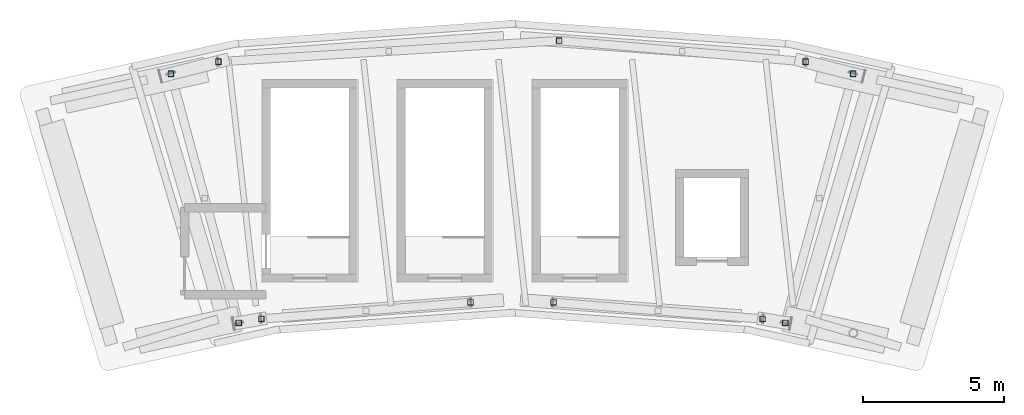
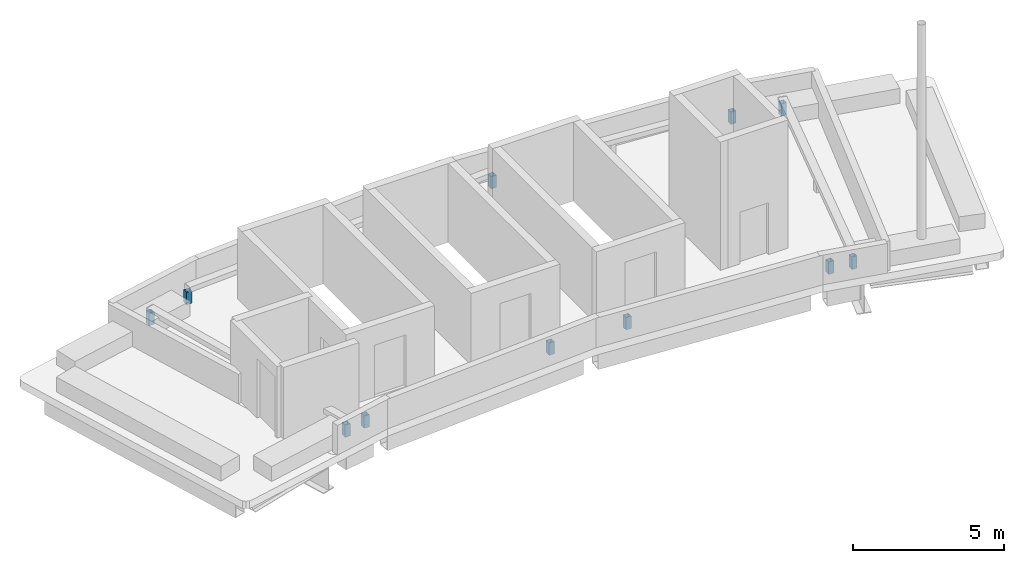
# One storey, part 2 of 6: 11 members.
"""IFC4 building model written with IfcOpenShell, lengths in metres."""

import ifcopenshell
import ifcopenshell.guid

model = None  # the IFC model being written
_history = None  # IfcOwnerHistory: only IFC2X3 demands one
_inside = {}  # id of a spatial element -> (the spatial element, [elements in it])
_under = {}  # id of a project, library or spatial element -> (it, [spatial elements below it])
_declared = {}  # id of a project -> (the project, [libraries it declares])
_typed = {}  # id of a type object -> (the type object, [elements of that type])
_made_of = {}  # id of a material, layer set ... -> (it, [elements and type objects made of it])


def new_model(schema):
    """Start an empty IFC model of exactly this schema.

    Asked for "IFC4X3", IfcOpenShell would pick the latest addendum, in which some entities
    have other attributes; the version numbers below select the first issue.
    IFC2X3 requires an IfcOwnerHistory on every rooted entity: one is made here for all.
    """
    global model, _history
    if schema == "IFC4X3":
        model = ifcopenshell.file(schema_version=(4, 3, 0, 0))
    else:
        model = ifcopenshell.file(schema=schema)
    _inside.clear()
    _under.clear()
    _declared.clear()
    _typed.clear()
    _made_of.clear()
    _history = None
    if model.schema == "IFC2X3":
        org = make("IfcOrganization", Name="unknown")
        user = make(
            "IfcPersonAndOrganization",
            ThePerson=make("IfcPerson", FamilyName="unknown"),
            TheOrganization=org,
        )
        app = make(
            "IfcApplication",
            ApplicationDeveloper=org,
            Version="unknown",
            ApplicationFullName="unknown",
            ApplicationIdentifier="unknown",
        )
        _history = make(
            "IfcOwnerHistory",
            OwningUser=user,
            OwningApplication=app,
            ChangeAction="ADDED",
            CreationDate=0,
        )
    return model


def make(cls, **values):
    """One entity of the class cls with the attributes given. An attribute that is None is left unset."""
    return model.create_entity(
        cls, **{name: value for name, value in values.items() if value is not None}
    )


def rooted(cls, **values):
    """An entity with a GlobalId (a new one), such as an element, a storey or a relation."""
    return make(cls, GlobalId=ifcopenshell.guid.new(), OwnerHistory=_history, **values)


def si_unit(unit_type, name, prefix=None):
    """IfcSIUnit, for example si_unit("LENGTHUNIT", "METRE", prefix="MILLI")."""
    return make("IfcSIUnit", UnitType=unit_type, Prefix=prefix, Name=name)


def assignment(units):
    """IfcUnitAssignment: the units of a project."""
    return None if units is None else make("IfcUnitAssignment", Units=units)


def point(xyz):
    """IfcCartesianPoint."""
    return None if xyz is None else make("IfcCartesianPoint", Coordinates=xyz)


def direction(xyz):
    """IfcDirection."""
    return None if xyz is None else make("IfcDirection", DirectionRatios=xyz)


def frame(location, z_axis=None, x_axis=None):
    """IfcAxis2Placement3D, a coordinate frame: its origin and axes. An axis left out is left unset."""
    return make(
        "IfcAxis2Placement3D",
        Location=point(location),
        Axis=direction(z_axis),
        RefDirection=direction(x_axis),
    )


def frame_2d(location, x_axis=None):
    """IfcAxis2Placement2D, a coordinate frame in the plane: its origin and x axis."""
    return make(
        "IfcAxis2Placement2D", Location=point(location), RefDirection=direction(x_axis)
    )


def origin():
    """The frame at (0, 0, 0) with its axes left unset."""
    return frame((0.0, 0.0, 0.0))


def origin_2d():
    """The frame at (0, 0) in the plane with its x axis left unset."""
    return frame_2d((0.0, 0.0))


def place(relative_to, where):
    """IfcLocalPlacement: puts the frame where relative to a parent placement (None: the world)."""
    return make(
        "IfcLocalPlacement", PlacementRelTo=relative_to, RelativePlacement=where
    )


def context(
    kind, dimensions, precision=None, world=None, true_north=None, identifier=None
):
    """IfcGeometricRepresentationContext, for example the 3D "Model" context."""
    return make(
        "IfcGeometricRepresentationContext",
        ContextIdentifier=identifier,
        ContextType=kind,
        CoordinateSpaceDimension=dimensions,
        Precision=precision,
        WorldCoordinateSystem=world,
        TrueNorth=true_north,
    )


def subcontext(parent, identifier, kind, view, scale=None):
    """IfcGeometricRepresentationSubContext, for example "Body" below "Model"."""
    return make(
        "IfcGeometricRepresentationSubContext",
        ContextIdentifier=identifier,
        ContextType=kind,
        ParentContext=parent,
        TargetScale=scale,
        TargetView=view,
    )


def project(units=None, contexts=None):
    """IfcProject with its units and contexts."""
    return rooted(
        "IfcProject",
        Name="project",
        RepresentationContexts=contexts,
        UnitsInContext=assignment(units),
    )


def spatial(cls, under=None, at=None, **own):
    """A site, building, storey or space (cls), placed at a placement, below another one or the project."""
    s = rooted(cls, ObjectPlacement=at, **own)
    if under is not None:
        _under.setdefault(under.id(), (under, []))[1].append(s)
    return s


def profile(cls, at=None, kind="AREA", **sizes):
    """A parametric profile (cls). Its sizes go by their IFC names, for example OverallWidth=200.0."""
    return make(cls, ProfileType=kind, Position=at, **sizes)


def hollow_rectangle(**sizes):
    """IfcRectangleHollowProfileDef."""
    return profile("IfcRectangleHollowProfileDef", **sizes)


def extrude(swept, where, along, depth):
    """IfcExtrudedAreaSolid: the profile swept, set in the frame where, extruded along a direction by depth."""
    return make(
        "IfcExtrudedAreaSolid",
        SweptArea=swept,
        Position=where,
        ExtrudedDirection=direction(along),
        Depth=depth,
    )


def shape(context_of_items, identifier, shape_type, items):
    """IfcShapeRepresentation: the items that make up one representation, for example the "Body"."""
    return make(
        "IfcShapeRepresentation",
        ContextOfItems=context_of_items,
        RepresentationIdentifier=identifier,
        RepresentationType=shape_type,
        Items=items,
    )


def material(Name=None, Category=None):
    """IfcMaterial."""
    return make("IfcMaterial", Name=Name, Category=Category)


def material_profile(
    of_material, cross_section, Name=None, Category=None, Priority=None
):
    """IfcMaterialProfile: a cross section and its material."""
    return make(
        "IfcMaterialProfile",
        Name=Name,
        Material=of_material,
        Profile=cross_section,
        Priority=Priority,
        Category=Category,
    )


def profile_set(profiles, Name=None, composite=None):
    """IfcMaterialProfileSet."""
    return make(
        "IfcMaterialProfileSet",
        Name=Name,
        MaterialProfiles=profiles,
        CompositeProfile=composite,
    )


def made_of(thing, what):
    """Note that an element or type object is made of a material, layer set ...; save() writes the relation."""
    if what is not None:
        _made_of.setdefault(what.id(), (what, []))[1].append(thing)
    return thing


def type_object(cls, material=None, **own):
    """A type object (cls), such as IfcWallType, which elements share."""
    return made_of(rooted(cls, **own), material)


def element(
    cls,
    number,
    at=None,
    inside=None,
    cuts=None,
    type_object=None,
    material=None,
    context=None,
    identifier="Body",
    shape_type=None,
    held_by="IfcProductDefinitionShape",
    body=None,
    shapes=None,
    **own,
):
    """One element of the class cls, such as IfcWall. Its Tag is "e" and its number.

    at: its placement. inside: the storey or other place that contains it. cuts: it is an
    opening in that element (IfcRelVoidsElement). A single representation is given by context,
    identifier, shape_type and body (its items); several are given by shapes. held_by: the class
    of the entity that holds the representations. save() writes the other relations.
    """
    e = rooted(cls, Tag="e%d" % number, ObjectPlacement=at, **own)
    if body is not None:
        shapes = [shape(context, identifier, shape_type, body)]
    if shapes is not None:
        e.Representation = make(held_by, Representations=shapes)
    if inside is not None:
        _inside.setdefault(inside.id(), (inside, []))[1].append(e)
    if cuts is not None:
        rooted(
            "IfcRelVoidsElement", RelatingBuildingElement=cuts, RelatedOpeningElement=e
        )
    if type_object is not None:
        _typed.setdefault(type_object.id(), (type_object, []))[1].append(e)
    return made_of(e, material)


def aggregate(whole, parts):
    """IfcRelAggregates: a whole, such as a stair, and the parts it consists of."""
    return rooted("IfcRelAggregates", RelatingObject=whole, RelatedObjects=parts)


def save(model, path):
    """Write the relations noted so far, then the file.

    IfcRelAggregates (storeys below a building ...), IfcRelContainedInSpatialStructure (elements
    in a storey), IfcRelDefinesByType, IfcRelAssociatesMaterial and IfcRelDeclares: one each for
    every whole, place, type object, material and project.
    """
    for whole, parts in _under.values():
        aggregate(whole, parts)
    for where, things in _inside.values():
        rooted(
            "IfcRelContainedInSpatialStructure",
            RelatedElements=things,
            RelatingStructure=where,
        )
    for kind, things in _typed.values():
        rooted("IfcRelDefinesByType", RelatedObjects=things, RelatingType=kind)
    for what, things in _made_of.values():
        rooted("IfcRelAssociatesMaterial", RelatedObjects=things, RelatingMaterial=what)
    for by, libraries in _declared.values():
        rooted("IfcRelDeclares", RelatingContext=by, RelatedDefinitions=libraries)
    model.write(path)


model = new_model("IFC4")

# Units and contexts
model_context = context("Model", 3, precision=1e-05, world=origin(), true_north=direction((0.0, 1.0)))
body_context = subcontext(model_context, "Body", "Model", "MODEL_VIEW")
ifc_project = project(units=[si_unit("LENGTHUNIT", "METRE"), si_unit("AREAUNIT", "SQUARE_METRE"), si_unit("VOLUMEUNIT", "CUBIC_METRE"), si_unit("PLANEANGLEUNIT", "RADIAN"), si_unit("MASSUNIT", "GRAM", prefix="KILO")], contexts=[model_context])

# Site, building, storey
site_placement = place(None, origin())
site = spatial("IfcSite", under=ifc_project, at=site_placement, CompositionType="ELEMENT")
building_placement = place(site_placement, origin())
building = spatial("IfcBuilding", under=site, at=building_placement, Name="Tuul Gate Civic Tower", CompositionType="ELEMENT")
storey_placement = place(building_placement, frame((0.0, 0.0, 384.10009765625)))
storey = spatial("IfcBuildingStorey", under=building, at=storey_placement, Name="Roof", CompositionType="ELEMENT", Elevation=384.10009765625)

# Members
ifc_material = material(Name="Stainless steel", Category="steel")
ifc_material_profile = material_profile(ifc_material, hollow_rectangle(XDim=0.199951171875, YDim=0.199951171875, WallThickness=0.010009765625, at=origin_2d()), Name="Rail post")
ifc_profile_set = profile_set([ifc_material_profile], Name="Stainless steel")
member_type = type_object("IfcMemberType", Name="Rail post", PredefinedType="USERDEFINED", material=ifc_profile_set)
for number, where, z_axis, x_axis, name in (
    (1, (-9.93310546875, 6.51025390625, 0.0), (0.0, 0.0, 1.0), (1.0, 0.0, 0.0), "Rail post"),
    (2, (-7.5234375, -2.344970703125, 0.0), (0.0, 0.0, 1.0), (1.0, 0.0, 0.0), "Rail post"),
    (3, (-6.715576171875, -2.205078125, 0.0), (0.0, 0.0, 1.0), (1.0, 0.0, 0.0), "Rail post"),
    (4, (0.716796875, -1.618896484375, 0.0), (0.0, 0.0, 1.0), (1.0, 0.0, 0.0), "Rail post"),
    (5, (3.667236328125, -1.618896484375, 0.0), (0.0, 0.0, 1.0), (1.0, 0.0, 0.0), "Rail post"),
    (6, (11.099609375, -2.205078125, 0.0), (0.0, 0.0, 1.0), (1.0, 0.0, 0.0), "Rail post"),
    (7, (11.9072265625, -2.344970703125, 0.0), (0.0, 0.0, 1.0), (1.0, 0.0, 0.0), "Rail post"),
    (8, (14.317138671875, 6.51025390625, 0.0), (0.0, 0.0, 1.0), (1.0, 0.0, 0.0), "Rail post"),
    (9, (12.6279296875, 6.937744140625, 0.0), (0.0, 0.0, 1.0), (1.0, 0.0, 0.0), "Rail post"),
    (10, (3.868896484375, 7.6904296875, 0.0), (0.0, 0.0, 1.0), (1.0, 0.0, 0.0), "Rail post"),
    (11, (-8.243896484375, 6.937744140625, 0.0), (0.0, 0.0, 1.0), (1.0, 0.0, 0.0), "Rail post"),
):
    element("IfcMember", number, at=place(storey_placement, frame(where, z_axis=z_axis, x_axis=x_axis)), inside=storey, type_object=member_type, Name=name, ObjectType="POST", PredefinedType="USERDEFINED", context=body_context, shape_type="SweptSolid", body=[
        extrude(hollow_rectangle(XDim=0.199951171875, YDim=0.199951171875, WallThickness=0.010009765625, at=origin_2d()), origin(), (0.0, 0.0, 1.0), 0.5),
    ])

save(model, "model.ifc")
